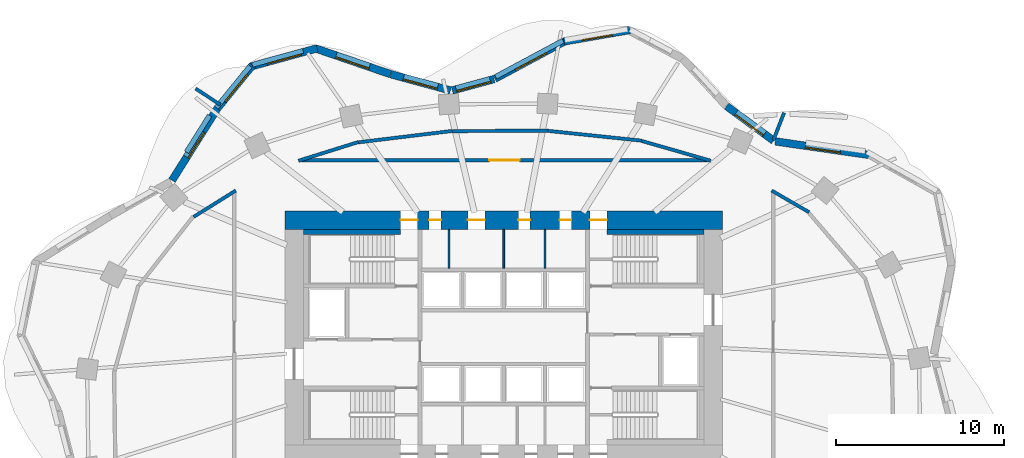
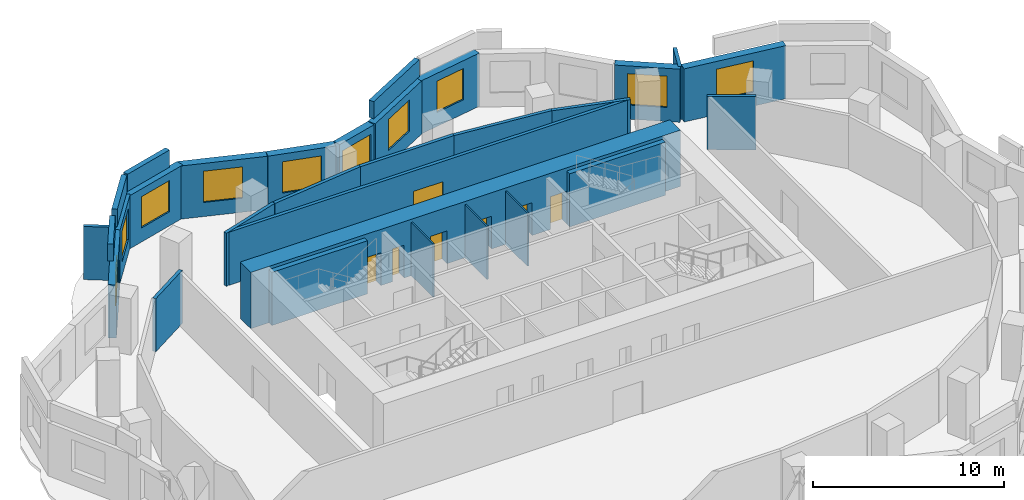
# One storey, part 6 of 8: 30 walls, 10 windows, 7 doors, 17 openings.
"""IFC4 building model written with IfcOpenShell, lengths in metres."""

from ifc_helpers import new_model, si_unit, direction, frame, frame_2d, origin, place, context, subcontext, project, spatial, rectangle, extrude, material, layer, layer_set, type_object, element, fill, save


model = new_model("IFC4")

# Units and contexts
model_context = context("Model", 3, precision=1e-05, world=origin(), true_north=direction((0.0, 1.0)))
body_context = subcontext(model_context, "Body", "Model", "MODEL_VIEW")
ifc_project = project(units=[si_unit("LENGTHUNIT", "METRE"), si_unit("AREAUNIT", "SQUARE_METRE"), si_unit("VOLUMEUNIT", "CUBIC_METRE"), si_unit("PLANEANGLEUNIT", "RADIAN"), si_unit("MASSUNIT", "GRAM", prefix="KILO")], contexts=[model_context])

# Site, building, storey
site_placement = place(None, origin())
site = spatial("IfcSite", under=ifc_project, at=site_placement, CompositionType="ELEMENT")
building_placement = place(site_placement, origin())
building = spatial("IfcBuilding", under=site, at=building_placement, Name="Rubra Terraces Tower", CompositionType="ELEMENT")
storey_placement = place(building_placement, frame((0.0, 0.0, 106.800048828125)))
storey = spatial("IfcBuildingStorey", under=building, at=storey_placement, Name="L25", CompositionType="ELEMENT", Elevation=106.800048828125)

# Wall, opening, window
ifc_material_1 = material(Name="Brick masonry red-brown", Category="masonry")
ifc_layer_1 = layer(ifc_material_1, 0.449951171875)
ifc_layer_set_1 = layer_set([ifc_layer_1], Name="Brick masonry red-brown")
wall_type_1 = type_object("IfcWallType", Name="Brick facade wall 450", PredefinedType="SOLIDWALL", material=ifc_layer_set_1)
wall_1_placement = place(storey_placement, frame((21.8251953125, 15.297119140625, 0.0), z_axis=(0.0, 0.0, 1.0), x_axis=(-0.98971474215, 0.143054986527, 0.0)))
wall_1 = element("IfcWall", 1, at=wall_1_placement, inside=storey, type_object=wall_type_1, Name="Facade wall L25 bay 5", PredefinedType="SOLIDWALL", context=body_context, shape_type="SweptSolid", body=[
    extrude(rectangle(XDim=5.7529296875, YDim=0.449951171875, at=frame_2d((2.87646484375, 0.0))), origin(), (0.0, 0.0, 1.0), 3.39990234375),
])
opening_1_placement = place(wall_1_placement, frame((1.826416015625, 0.0, 0.89990234375)))
opening_1 = element("IfcOpeningElement", 2, at=opening_1_placement, cuts=wall_1, Name="Opening W1", PredefinedType="OPENING", context=body_context, shape_type="SweptSolid", body=[
    extrude(rectangle(XDim=2.10009765625, YDim=2.0, at=frame_2d((1.050048828125, 1.0))), frame((0.0, 0.23486328125, 0.0), z_axis=(0.0, -1.0, 0.0), x_axis=(1.0, 0.0, 0.0)), (0.0, 0.0, 1.0), 0.469970703125),
])
ifc_material_2 = material(Name="Clear glass in aluminium frame", Category="aluminium")
window_type_1 = type_object("IfcWindowType", Name="Fixed deep-set window 2100 x 2000", PartitioningType="SINGLE_PANEL", PredefinedType="WINDOW", material=ifc_material_2)
window_1_placement = place(opening_1_placement, origin())
window_1 = element("IfcWindow", 3, at=window_1_placement, inside=storey, type_object=window_type_1, Name="Window L25 bay 5", OverallHeight=2.0, OverallWidth=2.10009765625, PartitioningType="SINGLE_PANEL", PredefinedType="WINDOW", context=body_context, shape_type="SweptSolid", body=[
    extrude(rectangle(XDim=2.10009765625, YDim=2.0, at=frame_2d((1.050048828125, 1.0))), frame((0.0, 0.135009765625, 0.0), z_axis=(0.0, -1.0, 0.0), x_axis=(1.0, 0.0, 0.0)), (0.0, 0.0, 1.0), 0.06005859375),
])
fill(opening_1, window_1)

wall_2_placement = place(storey_placement, frame((16.03564453125, 16.15771484375, 0.0), z_axis=(0.0, 0.0, 1.0), x_axis=(-0.805181432967, 0.593028549064, 0.0)))
wall_2 = element("IfcWall", 4, at=wall_2_placement, inside=storey, type_object=wall_type_1, Name="Facade wall L25 bay 6", PredefinedType="SOLIDWALL", context=body_context, shape_type="SweptSolid", body=[
    extrude(rectangle(XDim=3.468505859375, YDim=0.449951171875, at=frame_2d((1.734375, 0.0))), origin(), (0.0, 0.0, 1.0), 3.39990234375),
])
opening_2_placement = place(wall_2_placement, frame((0.684326171875, 0.0, 0.89990234375)))
opening_2 = element("IfcOpeningElement", 5, at=opening_2_placement, cuts=wall_2, Name="Opening W1", PredefinedType="OPENING", context=body_context, shape_type="SweptSolid", body=[
    extrude(rectangle(XDim=2.10009765625, YDim=2.0, at=frame_2d((1.050048828125, 1.0))), frame((0.0, 0.23486328125, 0.0), z_axis=(0.0, -1.0, 0.0), x_axis=(1.0, 0.0, 0.0)), (0.0, 0.0, 1.0), 0.469970703125),
])
window_2_placement = place(opening_2_placement, origin())
window_2 = element("IfcWindow", 6, at=window_2_placement, inside=storey, type_object=window_type_1, Name="Window L25 bay 6", OverallHeight=2.0, OverallWidth=2.10009765625, PartitioningType="SINGLE_PANEL", PredefinedType="WINDOW", context=body_context, shape_type="SweptSolid", body=[
    extrude(rectangle(XDim=2.10009765625, YDim=2.0, at=frame_2d((1.050048828125, 1.0))), frame((0.0, 0.135009765625, 0.0), z_axis=(0.0, -1.0, 0.0), x_axis=(1.0, 0.0, 0.0)), (0.0, 0.0, 1.0), 0.06005859375),
])
fill(opening_2, window_2)

wall_3_placement = place(storey_placement, frame((7.49853515625, 22.7373046875, 0.0), z_axis=(0.0, 0.0, 1.0), x_axis=(-0.98521220506, -0.171338585849, 0.0)))
wall_3 = element("IfcWall", 7, at=wall_3_placement, inside=storey, type_object=wall_type_1, Name="Facade wall L25 bay 9", PredefinedType="SOLIDWALL", context=body_context, shape_type="SweptSolid", body=[
    extrude(rectangle(XDim=3.979736328125, YDim=0.449951171875, at=frame_2d((1.98974609375, 0.0))), origin(), (0.0, 0.0, 1.0), 3.39990234375),
])
opening_3_placement = place(wall_3_placement, frame((1.08984375, 0.0, 0.89990234375)))
opening_3 = element("IfcOpeningElement", 8, at=opening_3_placement, cuts=wall_3, Name="Opening W6", PredefinedType="OPENING", context=body_context, shape_type="SweptSolid", body=[
    extrude(rectangle(XDim=1.800048828125, YDim=2.0, at=frame_2d((0.89990234375, 1.0))), frame((0.0, 0.23486328125, 0.0), z_axis=(0.0, -1.0, 0.0), x_axis=(1.0, 0.0, 0.0)), (0.0, 0.0, 1.0), 0.469970703125),
])
window_type_2 = type_object("IfcWindowType", Name="Fixed deep-set window at wind fin 1800 x 2000", PartitioningType="SINGLE_PANEL", PredefinedType="WINDOW", material=ifc_material_2)
window_3_placement = place(opening_3_placement, origin())
window_3 = element("IfcWindow", 9, at=window_3_placement, inside=storey, type_object=window_type_2, Name="Window L25 bay 9", OverallHeight=2.0, OverallWidth=1.800048828125, PartitioningType="SINGLE_PANEL", PredefinedType="WINDOW", context=body_context, shape_type="SweptSolid", body=[
    extrude(rectangle(XDim=1.800048828125, YDim=2.0, at=frame_2d((0.89990234375, 1.0))), frame((0.0, 0.135009765625, 0.0), z_axis=(0.0, -1.0, 0.0), x_axis=(1.0, 0.0, 0.0)), (0.0, 0.0, 1.0), 0.06005859375),
])
fill(opening_3, window_3)

wall_4_placement = place(storey_placement, frame((3.6455078125, 22.07861328125, 0.0), z_axis=(0.0, 0.0, 1.0), x_axis=(-0.881279133897, -0.472596115259, 0.0)))
wall_4 = element("IfcWall", 10, at=wall_4_placement, inside=storey, type_object=wall_type_1, Name="Facade wall L25 bay 10", PredefinedType="SOLIDWALL", context=body_context, shape_type="SweptSolid", body=[
    extrude(rectangle(XDim=4.736572265625, YDim=0.449951171875, at=frame_2d((2.3681640625, 0.0))), origin(), (0.0, 0.0, 1.0), 3.39990234375),
])
opening_4_placement = place(wall_4_placement, frame((1.318115234375, 0.0, 0.89990234375)))
opening_4 = element("IfcOpeningElement", 11, at=opening_4_placement, cuts=wall_4, Name="Opening W1", PredefinedType="OPENING", context=body_context, shape_type="SweptSolid", body=[
    extrude(rectangle(XDim=2.10009765625, YDim=2.0, at=frame_2d((1.050048828125, 1.0))), frame((0.0, 0.23486328125, 0.0), z_axis=(0.0, -1.0, 0.0), x_axis=(1.0, 0.0, 0.0)), (0.0, 0.0, 1.0), 0.469970703125),
])
window_4_placement = place(opening_4_placement, origin())
window_4 = element("IfcWindow", 12, at=window_4_placement, inside=storey, type_object=window_type_1, Name="Window L25 bay 10", OverallHeight=2.0, OverallWidth=2.10009765625, PartitioningType="SINGLE_PANEL", PredefinedType="WINDOW", context=body_context, shape_type="SweptSolid", body=[
    extrude(rectangle(XDim=2.10009765625, YDim=2.0, at=frame_2d((1.050048828125, 1.0))), frame((0.0, 0.135009765625, 0.0), z_axis=(0.0, -1.0, 0.0), x_axis=(1.0, 0.0, 0.0)), (0.0, 0.0, 1.0), 0.06005859375),
])
fill(opening_4, window_4)

wall_5_placement = place(storey_placement, frame((-0.576171875, 19.8212890625, 0.0), z_axis=(0.0, 0.0, 1.0), x_axis=(-0.965009398019, -0.262215296532, 0.0)))
wall_5 = element("IfcWall", 13, at=wall_5_placement, inside=storey, type_object=wall_type_1, Name="Facade wall L25 bay 11", PredefinedType="SOLIDWALL", context=body_context, shape_type="SweptSolid", body=[
    extrude(rectangle(XDim=2.565185546875, YDim=0.449951171875, at=frame_2d((1.28271484375, 0.0))), origin(), (0.0, 0.0, 1.0), 3.39990234375),
])
opening_5_placement = place(wall_5_placement, frame((0.232666015625, 0.0, 0.89990234375)))
opening_5 = element("IfcOpeningElement", 14, at=opening_5_placement, cuts=wall_5, Name="Opening W1", PredefinedType="OPENING", context=body_context, shape_type="SweptSolid", body=[
    extrude(rectangle(XDim=2.10009765625, YDim=2.0, at=frame_2d((1.050048828125, 1.0))), frame((0.0, 0.23486328125, 0.0), z_axis=(0.0, -1.0, 0.0), x_axis=(1.0, 0.0, 0.0)), (0.0, 0.0, 1.0), 0.469970703125),
])
window_5_placement = place(opening_5_placement, origin())
window_5 = element("IfcWindow", 15, at=window_5_placement, inside=storey, type_object=window_type_1, Name="Window L25 bay 11", OverallHeight=2.0, OverallWidth=2.10009765625, PartitioningType="SINGLE_PANEL", PredefinedType="WINDOW", context=body_context, shape_type="SweptSolid", body=[
    extrude(rectangle(XDim=2.10009765625, YDim=2.0, at=frame_2d((1.050048828125, 1.0))), frame((0.0, 0.135009765625, 0.0), z_axis=(0.0, -1.0, 0.0), x_axis=(1.0, 0.0, 0.0)), (0.0, 0.0, 1.0), 0.06005859375),
])
fill(opening_5, window_5)

wall_6_placement = place(storey_placement, frame((-3.164306640625, 19.147216796875, 0.0), z_axis=(0.0, 0.0, 1.0), x_axis=(-0.965039479998, 0.262104563191, 0.0)))
wall_6 = element("IfcWall", 16, at=wall_6_placement, inside=storey, type_object=wall_type_1, Name="Facade wall L25 bay 12", PredefinedType="SOLIDWALL", context=body_context, shape_type="SweptSolid", body=[
    extrude(rectangle(XDim=3.671875, YDim=0.449951171875, at=frame_2d((1.8359375, 0.0))), origin(), (0.0, 0.0, 1.0), 3.39990234375),
])
opening_6_placement = place(wall_6_placement, frame((0.785888671875, 0.0, 0.89990234375)))
opening_6 = element("IfcOpeningElement", 17, at=opening_6_placement, cuts=wall_6, Name="Opening W1", PredefinedType="OPENING", context=body_context, shape_type="SweptSolid", body=[
    extrude(rectangle(XDim=2.10009765625, YDim=2.0, at=frame_2d((1.050048828125, 1.0))), frame((0.0, 0.23486328125, 0.0), z_axis=(0.0, -1.0, 0.0), x_axis=(1.0, 0.0, 0.0)), (0.0, 0.0, 1.0), 0.469970703125),
])
window_6_placement = place(opening_6_placement, origin())
window_6 = element("IfcWindow", 18, at=window_6_placement, inside=storey, type_object=window_type_1, Name="Window L25 bay 12", OverallHeight=2.0, OverallWidth=2.10009765625, PartitioningType="SINGLE_PANEL", PredefinedType="WINDOW", context=body_context, shape_type="SweptSolid", body=[
    extrude(rectangle(XDim=2.10009765625, YDim=2.0, at=frame_2d((1.050048828125, 1.0))), frame((0.0, 0.135009765625, 0.0), z_axis=(0.0, -1.0, 0.0), x_axis=(1.0, 0.0, 0.0)), (0.0, 0.0, 1.0), 0.06005859375),
])
fill(opening_6, window_6)

wall_7_placement = place(storey_placement, frame((-6.722900390625, 20.114013671875, 0.0), z_axis=(0.0, 0.0, 1.0), x_axis=(-0.945947299026, 0.324320377815, 0.0)))
wall_7 = element("IfcWall", 19, at=wall_7_placement, inside=storey, type_object=wall_type_1, Name="Facade wall L25 bay 13", PredefinedType="SOLIDWALL", context=body_context, shape_type="SweptSolid", body=[
    extrude(rectangle(XDim=4.74462890625, YDim=0.449951171875, at=frame_2d((2.372314453125, 0.0))), origin(), (0.0, 0.0, 1.0), 3.39990234375),
])
opening_7_placement = place(wall_7_placement, frame((1.322265625, 0.0, 0.89990234375)))
opening_7 = element("IfcOpeningElement", 20, at=opening_7_placement, cuts=wall_7, Name="Opening W1", PredefinedType="OPENING", context=body_context, shape_type="SweptSolid", body=[
    extrude(rectangle(XDim=2.10009765625, YDim=2.0, at=frame_2d((1.050048828125, 1.0))), frame((0.0, 0.23486328125, 0.0), z_axis=(0.0, -1.0, 0.0), x_axis=(1.0, 0.0, 0.0)), (0.0, 0.0, 1.0), 0.469970703125),
])
window_7_placement = place(opening_7_placement, origin())
window_7 = element("IfcWindow", 21, at=window_7_placement, inside=storey, type_object=window_type_1, Name="Window L25 bay 13", OverallHeight=2.0, OverallWidth=2.10009765625, PartitioningType="SINGLE_PANEL", PredefinedType="WINDOW", context=body_context, shape_type="SweptSolid", body=[
    extrude(rectangle(XDim=2.10009765625, YDim=2.0, at=frame_2d((1.050048828125, 1.0))), frame((0.0, 0.135009765625, 0.0), z_axis=(0.0, -1.0, 0.0), x_axis=(1.0, 0.0, 0.0)), (0.0, 0.0, 1.0), 0.06005859375),
])
fill(opening_7, window_7)

wall_8_placement = place(storey_placement, frame((-11.08251953125, 21.64990234375, 0.0), z_axis=(0.0, 0.0, 1.0), x_axis=(-0.964483204983, -0.264144179011, 0.0)))
wall_8 = element("IfcWall", 22, at=wall_8_placement, inside=storey, type_object=wall_type_1, Name="Facade wall L25 bay 14", PredefinedType="SOLIDWALL", context=body_context, shape_type="SweptSolid", body=[
    extrude(rectangle(XDim=4.103759765625, YDim=0.449951171875, at=frame_2d((2.0517578125, 0.0))), origin(), (0.0, 0.0, 1.0), 3.39990234375),
])
opening_8_placement = place(wall_8_placement, frame((1.001953125, 0.0, 0.89990234375)))
opening_8 = element("IfcOpeningElement", 23, at=opening_8_placement, cuts=wall_8, Name="Opening W1", PredefinedType="OPENING", context=body_context, shape_type="SweptSolid", body=[
    extrude(rectangle(XDim=2.10009765625, YDim=2.0, at=frame_2d((1.050048828125, 1.0))), frame((0.0, 0.23486328125, 0.0), z_axis=(0.0, -1.0, 0.0), x_axis=(1.0, 0.0, 0.0)), (0.0, 0.0, 1.0), 0.469970703125),
])
window_8_placement = place(opening_8_placement, origin())
window_8 = element("IfcWindow", 24, at=window_8_placement, inside=storey, type_object=window_type_1, Name="Window L25 bay 14", OverallHeight=2.0, OverallWidth=2.10009765625, PartitioningType="SINGLE_PANEL", PredefinedType="WINDOW", context=body_context, shape_type="SweptSolid", body=[
    extrude(rectangle(XDim=2.10009765625, YDim=2.0, at=frame_2d((1.050048828125, 1.0))), frame((0.0, 0.135009765625, 0.0), z_axis=(0.0, -1.0, 0.0), x_axis=(1.0, 0.0, 0.0)), (0.0, 0.0, 1.0), 0.06005859375),
])
fill(opening_8, window_8)

wall_9_placement = place(storey_placement, frame((-14.925537109375, 20.640869140625, 0.0), z_axis=(0.0, 0.0, 1.0), x_axis=(-0.631548074669, -0.775336720001, 0.0)))
wall_9 = element("IfcWall", 25, at=wall_9_placement, inside=storey, type_object=wall_type_1, Name="Facade wall L25 bay 15", PredefinedType="SOLIDWALL", context=body_context, shape_type="SweptSolid", body=[
    extrude(rectangle(XDim=3.3076171875, YDim=0.449951171875, at=frame_2d((1.65380859375, 0.0))), origin(), (0.0, 0.0, 1.0), 3.39990234375),
])
opening_9_placement = place(wall_9_placement, frame((0.603759765625, 0.0, 0.89990234375)))
opening_9 = element("IfcOpeningElement", 26, at=opening_9_placement, cuts=wall_9, Name="Opening W1", PredefinedType="OPENING", context=body_context, shape_type="SweptSolid", body=[
    extrude(rectangle(XDim=2.10009765625, YDim=2.0, at=frame_2d((1.050048828125, 1.0))), frame((0.0, 0.23486328125, 0.0), z_axis=(0.0, -1.0, 0.0), x_axis=(1.0, 0.0, 0.0)), (0.0, 0.0, 1.0), 0.469970703125),
])
window_9_placement = place(opening_9_placement, origin())
window_9 = element("IfcWindow", 27, at=window_9_placement, inside=storey, type_object=window_type_1, Name="Window L25 bay 15", OverallHeight=2.0, OverallWidth=2.10009765625, PartitioningType="SINGLE_PANEL", PredefinedType="WINDOW", context=body_context, shape_type="SweptSolid", body=[
    extrude(rectangle(XDim=2.10009765625, YDim=2.0, at=frame_2d((1.050048828125, 1.0))), frame((0.0, 0.135009765625, 0.0), z_axis=(0.0, -1.0, 0.0), x_axis=(1.0, 0.0, 0.0)), (0.0, 0.0, 1.0), 0.06005859375),
])
fill(opening_9, window_9)

wall_10_placement = place(storey_placement, frame((-16.998291015625, 18.0986328125, 0.0), z_axis=(0.0, 0.0, 1.0), x_axis=(-0.532745661304, -0.846275404559, 0.0)))
wall_10 = element("IfcWall", 28, at=wall_10_placement, inside=storey, type_object=wall_type_1, Name="Facade wall L25 bay 16", PredefinedType="SOLIDWALL", context=body_context, shape_type="SweptSolid", body=[
    extrude(rectangle(XDim=5.076171875, YDim=0.449951171875, at=frame_2d((2.5380859375, 0.0))), origin(), (0.0, 0.0, 1.0), 3.39990234375),
])
opening_10_placement = place(wall_10_placement, frame((1.63818359375, 0.0, 0.89990234375)))
opening_10 = element("IfcOpeningElement", 29, at=opening_10_placement, cuts=wall_10, Name="Opening W6", PredefinedType="OPENING", context=body_context, shape_type="SweptSolid", body=[
    extrude(rectangle(XDim=1.800048828125, YDim=2.0, at=frame_2d((0.89990234375, 1.0))), frame((0.0, 0.23486328125, 0.0), z_axis=(0.0, -1.0, 0.0), x_axis=(1.0, 0.0, 0.0)), (0.0, 0.0, 1.0), 0.469970703125),
])
window_10_placement = place(opening_10_placement, origin())
window_10 = element("IfcWindow", 30, at=window_10_placement, inside=storey, type_object=window_type_2, Name="Window L25 bay 16", OverallHeight=2.0, OverallWidth=1.800048828125, PartitioningType="SINGLE_PANEL", PredefinedType="WINDOW", context=body_context, shape_type="SweptSolid", body=[
    extrude(rectangle(XDim=1.800048828125, YDim=2.0, at=frame_2d((0.89990234375, 1.0))), frame((0.0, 0.135009765625, 0.0), z_axis=(0.0, -1.0, 0.0), x_axis=(1.0, 0.0, 0.0)), (0.0, 0.0, 1.0), 0.06005859375),
])
fill(opening_10, window_10)

# Walls
ifc_layer_2 = layer(ifc_material_1, 0.300048828125)
ifc_layer_set_2 = layer_set([ifc_layer_2], Name="Brick masonry red-brown")
wall_type_2 = type_object("IfcWallType", Name="Brick parapet 300", PredefinedType="PARAPET", material=ifc_layer_set_2)
wall_11_placement = place(storey_placement, frame((3.52978515625, 22.105712890625, 3.599853515625), z_axis=(0.0, 0.0, 1.0), x_axis=(-0.881258931682, -0.472633785643, 0.0)))
element("IfcWall", 31, at=wall_11_placement, inside=storey, type_object=wall_type_2, Name="Parapet L25 bay 10", PredefinedType="PARAPET", context=body_context, shape_type="SweptSolid", body=[
    extrude(rectangle(XDim=4.55029296875, YDim=0.300048828125, at=frame_2d((2.275146484375, 0.0))), origin(), (0.0, 0.0, 1.0), 1.10009765625),
])
wall_12_placement = place(storey_placement, frame((-11.916259765625, 21.49951171875, 3.599853515625), z_axis=(0.0, 0.0, 1.0), x_axis=(-0.964473787466, -0.264178563271, 0.0)))
element("IfcWall", 32, at=wall_12_placement, inside=storey, type_object=wall_type_2, Name="Parapet L25 bay 14", PredefinedType="PARAPET", context=body_context, shape_type="SweptSolid", body=[
    extrude(rectangle(XDim=3.1337890625, YDim=0.300048828125, at=frame_2d((1.56689453125, 0.0))), origin(), (0.0, 0.0, 1.0), 1.10009765625),
])
wall_13_placement = place(storey_placement, frame((-15.063232421875, 20.590576171875, 3.599853515625), z_axis=(0.0, 0.0, 1.0), x_axis=(-0.631539712948, -0.775343530939, 0.0)))
element("IfcWall", 33, at=wall_13_placement, inside=storey, type_object=wall_type_2, Name="Parapet L25 bay 15", PredefinedType="PARAPET", context=body_context, shape_type="SweptSolid", body=[
    extrude(rectangle(XDim=3.181640625, YDim=0.300048828125, at=frame_2d((1.5908203125, 0.0))), origin(), (0.0, 0.0, 1.0), 1.10009765625),
])
wall_14_placement = place(storey_placement, frame((-17.4658203125, 17.663818359375, 3.599853515625), z_axis=(0.0, 0.0, 1.0), x_axis=(-0.532743008157, -0.846277074758, 0.0)))
element("IfcWall", 34, at=wall_14_placement, inside=storey, type_object=wall_type_2, Name="Parapet L25 bay 16", PredefinedType="PARAPET", context=body_context, shape_type="SweptSolid", body=[
    extrude(rectangle(XDim=2.58056640625, YDim=0.300048828125, at=frame_2d((1.290283203125, 0.0))), origin(), (0.0, 0.0, 1.0), 1.10009765625),
])
ifc_layer_3 = layer(ifc_material_1, 0.199951171875)
ifc_layer_set_3 = layer_set([ifc_layer_3], Name="Brick masonry red-brown")
wall_type_3 = type_object("IfcWallType", Name="Brick wind fin 200", PredefinedType="SOLIDWALL", material=ifc_layer_set_3)
wall_15_placement = place(storey_placement, frame((16.01904296875, 16.195068359375, 0.0), z_axis=(0.0, 0.0, 1.0), x_axis=(0.362641522028, 0.931928713208, 0.0)))
element("IfcWall", 35, at=wall_15_placement, inside=storey, type_object=wall_type_3, Name="Wind fin L25 4", PredefinedType="SOLIDWALL", context=body_context, shape_type="SweptSolid", body=[
    extrude(rectangle(XDim=1.749755859375, YDim=0.199951171875, at=frame_2d((0.875, 0.0))), origin(), (0.0, 0.0, 1.0), 3.39990234375),
])
wall_16_placement = place(storey_placement, frame((-16.837890625, 18.298095703125, 0.0), z_axis=(0.0, 0.0, 1.0), x_axis=(-0.835871900419, 0.548924554097, 0.0)))
element("IfcWall", 36, at=wall_16_placement, inside=storey, type_object=wall_type_3, Name="Wind fin L25 9", PredefinedType="SOLIDWALL", context=body_context, shape_type="SweptSolid", body=[
    extrude(rectangle(XDim=1.750244140625, YDim=0.199951171875, at=frame_2d((0.875, 0.0))), origin(), (0.0, 0.0, 1.0), 3.39990234375),
])

# Wall, openings, doors
ifc_material_3 = material(Name="Concrete C60", Category="concrete")
ifc_layer_4 = layer(ifc_material_3, 1.10009765625)
ifc_layer_set_4 = layer_set([ifc_layer_4], Name="Concrete C60")
wall_type_4 = type_object("IfcWallType", Name="CORE WALL 1100 C60", PredefinedType="SHEAR", material=ifc_layer_set_4)
wall_17_placement = place(storey_placement, frame((-13.0, 11.449951171875, 0.0), z_axis=(0.0, 0.0, 1.0), x_axis=(1.0, 0.0, 0.0)))
wall_17 = element("IfcWall", 37, at=wall_17_placement, inside=storey, type_object=wall_type_4, Name="CORE WALL N L25", PredefinedType="SHEAR", context=body_context, shape_type="SweptSolid", body=[
    extrude(rectangle(XDim=26.0, YDim=1.10009765625, at=frame_2d((13.0, 0.0))), origin(), (0.0, 0.0, 1.0), 3.599853515625),
])
opening_11_placement = place(wall_17_placement, frame((8.574951171875, 0.0, 0.0)))
opening_11 = element("IfcOpeningElement", 38, at=opening_11_placement, cuts=wall_17, Name="Opening L25.C17", PredefinedType="OPENING", context=body_context, shape_type="SweptSolid", body=[
    extrude(rectangle(XDim=0.699951171875, YDim=2.10009765625, at=frame_2d((0.35009765625, 1.050048828125))), frame((0.0, 0.56005859375, 0.0), z_axis=(0.0, -1.0, 0.0), x_axis=(1.0, 0.0, 0.0)), (0.0, 0.0, 1.0), 1.1201171875),
])
opening_12_placement = place(wall_17_placement, frame((10.875, 0.0, 0.0)))
opening_12 = element("IfcOpeningElement", 39, at=opening_12_placement, cuts=wall_17, Name="Opening L25.C18", PredefinedType="OPENING", context=body_context, shape_type="SweptSolid", body=[
    extrude(rectangle(XDim=1.0, YDim=2.10009765625, at=frame_2d((0.5, 1.050048828125))), frame((0.0, 0.56005859375, 0.0), z_axis=(0.0, -1.0, 0.0), x_axis=(1.0, 0.0, 0.0)), (0.0, 0.0, 1.0), 1.1201171875),
])
opening_13_placement = place(wall_17_placement, frame((13.875, 0.0, 0.0)))
opening_13 = element("IfcOpeningElement", 40, at=opening_13_placement, cuts=wall_17, Name="Opening L25.C19", PredefinedType="OPENING", context=body_context, shape_type="SweptSolid", body=[
    extrude(rectangle(XDim=0.699951171875, YDim=2.10009765625, at=frame_2d((0.35009765625, 1.050048828125))), frame((0.0, 0.56005859375, 0.0), z_axis=(0.0, -1.0, 0.0), x_axis=(1.0, 0.0, 0.0)), (0.0, 0.0, 1.0), 1.1201171875),
])
opening_14_placement = place(wall_17_placement, frame((16.324951171875, 0.0, 0.0)))
opening_14 = element("IfcOpeningElement", 41, at=opening_14_placement, cuts=wall_17, Name="Opening L25.C20", PredefinedType="OPENING", context=body_context, shape_type="SweptSolid", body=[
    extrude(rectangle(XDim=0.699951171875, YDim=2.10009765625, at=frame_2d((0.35009765625, 1.050048828125))), frame((0.0, 0.56005859375, 0.0), z_axis=(0.0, -1.0, 0.0), x_axis=(1.0, 0.0, 0.0)), (0.0, 0.0, 1.0), 1.1201171875),
])
opening_15_placement = place(wall_17_placement, frame((6.8798828125, 0.0, 0.0)))
opening_15 = element("IfcOpeningElement", 42, at=opening_15_placement, cuts=wall_17, Name="Opening L25.C22", PredefinedType="OPENING", context=body_context, shape_type="SweptSolid", body=[
    extrude(rectangle(XDim=1.0, YDim=2.10009765625, at=frame_2d((0.5, 1.050048828125))), frame((0.0, 0.56005859375, 0.0), z_axis=(0.0, -1.0, 0.0), x_axis=(1.0, 0.0, 0.0)), (0.0, 0.0, 1.0), 1.1201171875),
])
opening_16_placement = place(wall_17_placement, frame((18.1201171875, 0.0, 0.0)))
opening_16 = element("IfcOpeningElement", 43, at=opening_16_placement, cuts=wall_17, Name="Opening L25.C23", PredefinedType="OPENING", context=body_context, shape_type="SweptSolid", body=[
    extrude(rectangle(XDim=1.0, YDim=2.10009765625, at=frame_2d((0.5, 1.050048828125))), frame((0.0, 0.56005859375, 0.0), z_axis=(0.0, -1.0, 0.0), x_axis=(1.0, 0.0, 0.0)), (0.0, 0.0, 1.0), 1.1201171875),
])
ifc_material_4 = material(Name="Painted steel", Category="steel")
door_type_1 = type_object("IfcDoorType", Name="Fire door 1000x2100 single", OperationType="NOTDEFINED", PredefinedType="DOOR", material=ifc_material_4)
door_1_placement = place(opening_12_placement, origin())
door_1 = element("IfcDoor", 44, at=door_1_placement, inside=storey, type_object=door_type_1, Name="General store door", OperationType="SINGLE_SWING_RIGHT", OverallHeight=2.10009765625, OverallWidth=1.0, PredefinedType="DOOR", context=body_context, shape_type="SweptSolid", body=[
    extrude(rectangle(XDim=1.0, YDim=2.10009765625, at=frame_2d((0.5, 1.050048828125))), frame((0.0, 0.02490234375, 0.0), z_axis=(0.0, -1.0, 0.0), x_axis=(1.0, 0.0, 0.0)), (0.0, 0.0, 1.0), 0.050048828125),
])
fill(opening_12, door_1)
door_2_placement = place(opening_15_placement, origin())
door_2 = element("IfcDoor", 45, at=door_2_placement, inside=storey, type_object=door_type_1, Name="Stair S2 refuge door", OperationType="SINGLE_SWING_RIGHT", OverallHeight=2.10009765625, OverallWidth=1.0, PredefinedType="DOOR", context=body_context, shape_type="SweptSolid", body=[
    extrude(rectangle(XDim=1.0, YDim=2.10009765625, at=frame_2d((0.5, 1.050048828125))), frame((0.0, 0.02490234375, 0.0), z_axis=(0.0, -1.0, 0.0), x_axis=(1.0, 0.0, 0.0)), (0.0, 0.0, 1.0), 0.050048828125),
])
fill(opening_15, door_2)
door_3_placement = place(opening_16_placement, origin())
door_3 = element("IfcDoor", 46, at=door_3_placement, inside=storey, type_object=door_type_1, Name="Stair S3 refuge door", OperationType="SINGLE_SWING_LEFT", OverallHeight=2.10009765625, OverallWidth=1.0, PredefinedType="DOOR", context=body_context, shape_type="SweptSolid", body=[
    extrude(rectangle(XDim=1.0, YDim=2.10009765625, at=frame_2d((0.5, 1.050048828125))), frame((0.0, 0.02490234375, 0.0), z_axis=(0.0, -1.0, 0.0), x_axis=(1.0, 0.0, 0.0)), (0.0, 0.0, 1.0), 0.050048828125),
])
fill(opening_16, door_3)
door_type_2 = type_object("IfcDoorType", Name="Riser access door 700x2100 single", OperationType="NOTDEFINED", PredefinedType="DOOR", material=ifc_material_4)
door_4_placement = place(opening_11_placement, origin())
door_4 = element("IfcDoor", 47, at=door_4_placement, inside=storey, type_object=door_type_2, Name="Mechanical riser (water and drainage) door", OperationType="SINGLE_SWING_LEFT", OverallHeight=2.10009765625, OverallWidth=0.699951171875, PredefinedType="DOOR", context=body_context, shape_type="SweptSolid", body=[
    extrude(rectangle(XDim=0.699951171875, YDim=2.10009765625, at=frame_2d((0.35009765625, 1.050048828125))), frame((0.0, 0.02490234375, 0.0), z_axis=(0.0, -1.0, 0.0), x_axis=(1.0, 0.0, 0.0)), (0.0, 0.0, 1.0), 0.050048828125),
])
fill(opening_11, door_4)
door_5_placement = place(opening_13_placement, origin())
door_5 = element("IfcDoor", 48, at=door_5_placement, inside=storey, type_object=door_type_2, Name="Telecoms room door", OperationType="SINGLE_SWING_LEFT", OverallHeight=2.10009765625, OverallWidth=0.699951171875, PredefinedType="DOOR", context=body_context, shape_type="SweptSolid", body=[
    extrude(rectangle(XDim=0.699951171875, YDim=2.10009765625, at=frame_2d((0.35009765625, 1.050048828125))), frame((0.0, 0.02490234375, 0.0), z_axis=(0.0, -1.0, 0.0), x_axis=(1.0, 0.0, 0.0)), (0.0, 0.0, 1.0), 0.050048828125),
])
fill(opening_13, door_5)
door_6_placement = place(opening_14_placement, origin())
door_6 = element("IfcDoor", 49, at=door_6_placement, inside=storey, type_object=door_type_2, Name="M&E riser room door", OperationType="SINGLE_SWING_RIGHT", OverallHeight=2.10009765625, OverallWidth=0.699951171875, PredefinedType="DOOR", context=body_context, shape_type="SweptSolid", body=[
    extrude(rectangle(XDim=0.699951171875, YDim=2.10009765625, at=frame_2d((0.35009765625, 1.050048828125))), frame((0.0, 0.02490234375, 0.0), z_axis=(0.0, -1.0, 0.0), x_axis=(1.0, 0.0, 0.0)), (0.0, 0.0, 1.0), 0.050048828125),
])
fill(opening_14, door_6)

# Walls
ifc_material_5 = material(Name="Concrete C40", Category="concrete")
ifc_layer_5 = layer(ifc_material_5, 0.300048828125)
ifc_layer_set_5 = layer_set([ifc_layer_5], Name="Concrete C40")
wall_type_5 = type_object("IfcWallType", Name="Core lining wall 300 concrete", PredefinedType="SOLIDWALL", material=ifc_layer_set_5)
for number, where, z_axis, x_axis, name in (
    (50, (-11.89990234375, 10.75, 0.0), (0.0, 0.0, 1.0), (1.0, 0.0, 0.0), "CORE LINING WALL L25"),
    (51, (11.89990234375, 10.75, 0.0), (0.0, 0.0, 1.0), (-1.0, 0.0, 0.0), "CORE LINING WALL L25"),
):
    element("IfcWall", number, at=place(storey_placement, frame(where, z_axis=z_axis, x_axis=x_axis)), inside=storey, type_object=wall_type_5, Name=name, PredefinedType="SOLIDWALL", context=body_context, shape_type="SweptSolid", body=[
        extrude(rectangle(XDim=5.77978515625, YDim=0.300048828125, at=frame_2d((2.889892578125, 0.0))), origin(), (0.0, 0.0, 1.0), 3.39990234375),
    ])
ifc_material_6 = material(Name="Blockwork", Category="masonry")
ifc_layer_6 = layer(ifc_material_6, 0.199951171875)
ifc_layer_set_6 = layer_set([ifc_layer_6], Name="Blockwork")
wall_type_6 = type_object("IfcWallType", Name="Corridor partition 200 blockwork", PredefinedType="PARTITIONING", material=ifc_layer_set_6)
wall_18_placement = place(storey_placement, frame((-18.422119140625, 11.635009765625, 0.0), z_axis=(0.0, 0.0, 1.0), x_axis=(0.848299824463, 0.529516201656, 0.0)))
element("IfcWall", 52, at=wall_18_placement, inside=storey, type_object=wall_type_6, Name="Partition wall", PredefinedType="PARTITIONING", context=body_context, shape_type="SweptSolid", body=[
    extrude(rectangle(XDim=2.955322265625, YDim=0.199951171875, at=frame_2d((1.4775390625, 0.0))), origin(), (0.0, 0.0, 1.0), 3.39990234375),
])
wall_19_placement = place(storey_placement, frame((15.9130859375, 13.201904296875, 0.0), z_axis=(0.0, 0.0, 1.0), x_axis=(0.86524014554, -0.501357647339, 0.0)))
element("IfcWall", 53, at=wall_19_placement, inside=storey, type_object=wall_type_6, Name="Partition wall", PredefinedType="PARTITIONING", context=body_context, shape_type="SweptSolid", body=[
    extrude(rectangle(XDim=2.574951171875, YDim=0.199951171875, at=frame_2d((1.28759765625, 0.0))), origin(), (0.0, 0.0, 1.0), 3.39990234375),
])
wall_20_placement = place(storey_placement, frame((-12.193115234375, 14.969970703125, 0.0), z_axis=(0.0, 0.0, 1.0), x_axis=(0.954441570864, 0.298397868301, 0.0)))
element("IfcWall", 54, at=wall_20_placement, inside=storey, type_object=wall_type_6, Name="Partition wall", PredefinedType="PARTITIONING", context=body_context, shape_type="SweptSolid", body=[
    extrude(rectangle(XDim=3.7333984375, YDim=0.199951171875, at=frame_2d((1.86669921875, 0.0))), origin(), (0.0, 0.0, 1.0), 3.39990234375),
])
wall_21_placement = place(storey_placement, frame((-8.6259765625, 16.06591796875, 0.0), z_axis=(0.0, 0.0, 1.0), x_axis=(0.992720392358, 0.120441780942, 0.0)))
element("IfcWall", 55, at=wall_21_placement, inside=storey, type_object=wall_type_6, Name="Partition wall", PredefinedType="PARTITIONING", context=body_context, shape_type="SweptSolid", body=[
    extrude(rectangle(XDim=5.61279296875, YDim=0.199951171875, at=frame_2d((2.806396484375, 0.0))), origin(), (0.0, 0.0, 1.0), 3.39990234375),
])
wall_22_placement = place(storey_placement, frame((-3.052978515625, 16.72998046875, 0.0), z_axis=(0.0, 0.0, 1.0), x_axis=(0.999987762334, 0.004947239951, 0.0)))
element("IfcWall", 56, at=wall_22_placement, inside=storey, type_object=wall_type_6, Name="Partition wall", PredefinedType="PARTITIONING", context=body_context, shape_type="SweptSolid", body=[
    extrude(rectangle(XDim=5.675048828125, YDim=0.199951171875, at=frame_2d((2.83740234375, 0.0))), origin(), (0.0, 0.0, 1.0), 3.39990234375),
])
wall_23_placement = place(storey_placement, frame((2.62109375, 16.748046875, 0.0), z_axis=(0.0, 0.0, 1.0), x_axis=(0.99455907377, -0.104174127222, 0.0)))
element("IfcWall", 57, at=wall_23_placement, inside=storey, type_object=wall_type_6, Name="Partition wall", PredefinedType="PARTITIONING", context=body_context, shape_type="SweptSolid", body=[
    extrude(rectangle(XDim=5.62451171875, YDim=0.199951171875, at=frame_2d((2.812255859375, 0.0))), origin(), (0.0, 0.0, 1.0), 3.39990234375),
])
wall_24_placement = place(storey_placement, frame((8.2119140625, 16.14404296875, 0.0), z_axis=(0.0, 0.0, 1.0), x_axis=(0.961195849484, -0.275866886261, 0.0)))
element("IfcWall", 58, at=wall_24_placement, inside=storey, type_object=wall_type_6, Name="Partition wall", PredefinedType="PARTITIONING", context=body_context, shape_type="SweptSolid", body=[
    extrude(rectangle(XDim=4.248779296875, YDim=0.199951171875, at=frame_2d((2.12451171875, 0.0))), origin(), (0.0, 0.0, 1.0), 3.39990234375),
])

# Wall, opening, door
wall_25_placement = place(storey_placement, frame((12.10009765625, 15.0, 0.0), z_axis=(0.0, 0.0, 1.0), x_axis=(-1.0, 0.0, 0.0)))
wall_25 = element("IfcWall", 59, at=wall_25_placement, inside=storey, type_object=wall_type_6, Name="Partition wall", PredefinedType="PARTITIONING", context=body_context, shape_type="SweptSolid", body=[
    extrude(rectangle(XDim=24.09814453125, YDim=0.199951171875, at=frame_2d((12.049072265625, 0.0))), origin(), (0.0, 0.0, 1.0), 3.39990234375),
])
opening_17_placement = place(wall_25_placement, frame((11.14892578125, 0.0, 0.0)))
opening_17 = element("IfcOpeningElement", 60, at=opening_17_placement, cuts=wall_25, Name="Opening DB3", PredefinedType="OPENING", context=body_context, shape_type="SweptSolid", body=[
    extrude(rectangle(XDim=1.800048828125, YDim=2.10009765625, at=frame_2d((0.89990234375, 1.050048828125))), frame((0.0, 0.10986328125, 0.0), z_axis=(0.0, -1.0, 0.0), x_axis=(1.0, 0.0, 0.0)), (0.0, 0.0, 1.0), 0.219970703125),
])
door_type_3 = type_object("IfcDoorType", Name="Door 1800x2100 double", OperationType="NOTDEFINED", PredefinedType="DOOR", material=ifc_material_4)
door_7_placement = place(opening_17_placement, origin())
door_7 = element("IfcDoor", 61, at=door_7_placement, inside=storey, type_object=door_type_3, Name="Refuge area door L25-04", OperationType="DOUBLE_DOOR_SINGLE_SWING", OverallHeight=2.10009765625, OverallWidth=1.800048828125, PredefinedType="DOOR", context=body_context, shape_type="SweptSolid", body=[
    extrude(rectangle(XDim=1.800048828125, YDim=2.10009765625, at=frame_2d((0.89990234375, 1.050048828125))), frame((0.0, 0.02490234375, 0.0), z_axis=(0.0, -1.0, 0.0), x_axis=(1.0, 0.0, 0.0)), (0.0, 0.0, 1.0), 0.050048828125),
])
fill(opening_17, door_7)

# Walls
ifc_layer_7 = layer(ifc_material_6, 0.10009765625)
ifc_layer_set_7 = layer_set([ifc_layer_7], Name="Blockwork")
wall_type_7 = type_object("IfcWallType", Name="Service partition 100 blockwork", PredefinedType="PARTITIONING", material=ifc_layer_set_7)
for number, where, z_axis, x_axis, name in (
    (62, (-3.25, 8.60009765625, 0.0), (0.0, 0.0, 1.0), (0.0, 1.0, 0.0), "SERVICE ROOM PARTITION L25"),
    (63, (0.0, 8.60009765625, 0.0), (0.0, 0.0, 1.0), (0.0, 1.0, 0.0), "SERVICE ROOM PARTITION L25"),
    (64, (2.449951171875, 8.60009765625, 0.0), (0.0, 0.0, 1.0), (0.0, 1.0, 0.0), "SERVICE ROOM PARTITION L25"),
):
    element("IfcWall", number, at=place(storey_placement, frame(where, z_axis=z_axis, x_axis=x_axis)), inside=storey, type_object=wall_type_7, Name=name, PredefinedType="PARTITIONING", context=body_context, shape_type="SweptSolid", body=[
        extrude(rectangle(XDim=2.2998046875, YDim=0.10009765625, at=frame_2d((1.14990234375, 0.0))), origin(), (0.0, 0.0, 1.0), 3.39990234375),
    ])

save(model, "model.ifc")
